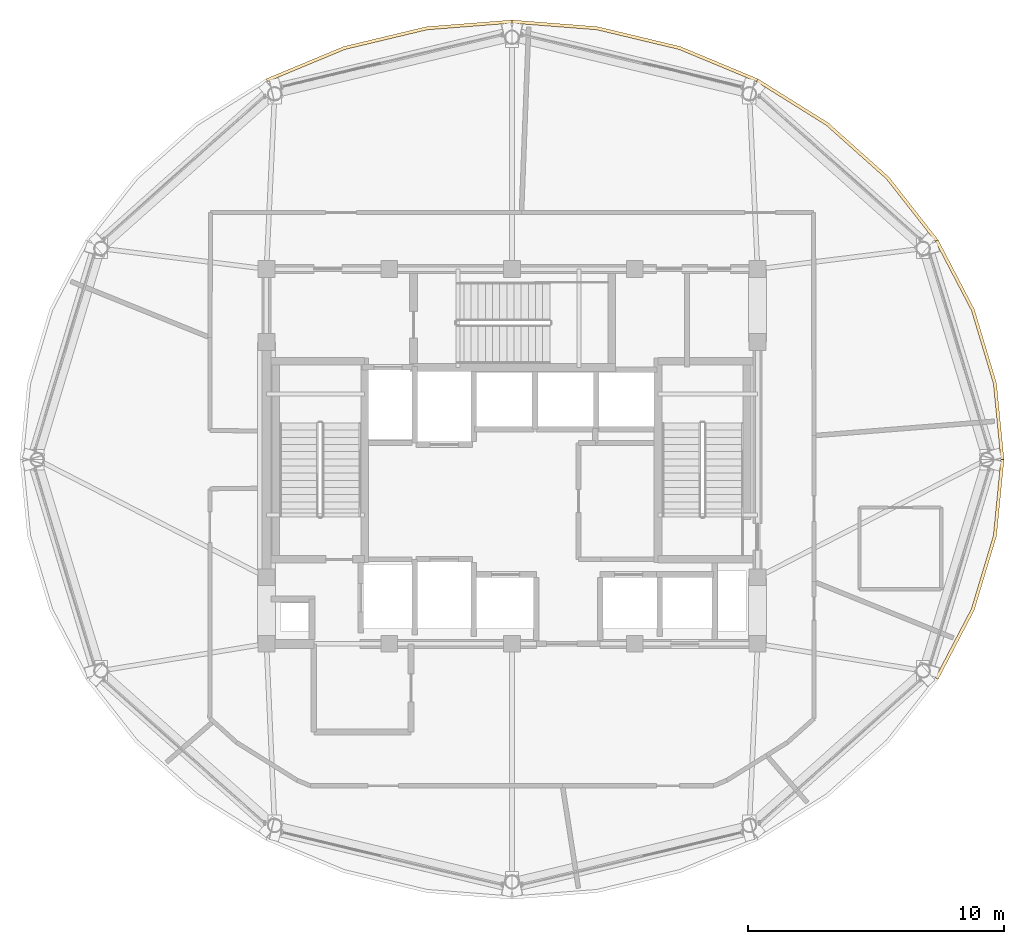
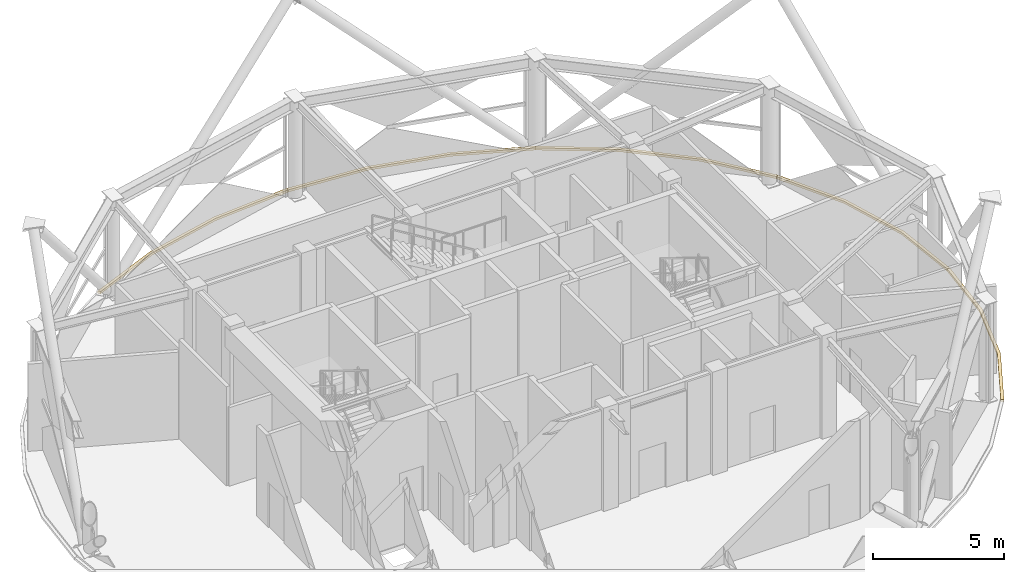
# One storey, part 27 of 27: 5 coverings.
"""IFC4 building model written with IfcOpenShell, lengths in metres."""

from ifc_helpers import new_model, si_unit, direction, frame, origin, place, context, subcontext, project, spatial, polyline, outline, extrude, material, layer, layer_set, type_object, element, save


model = new_model("IFC4")

# Units and contexts
model_context = context("Model", 3, precision=1e-05, world=origin(), true_north=direction((0.0, 1.0)))
body_context = subcontext(model_context, "Body", "Model", "MODEL_VIEW")
ifc_project = project(units=[si_unit("LENGTHUNIT", "METRE"), si_unit("AREAUNIT", "SQUARE_METRE"), si_unit("VOLUMEUNIT", "CUBIC_METRE"), si_unit("PLANEANGLEUNIT", "RADIAN"), si_unit("MASSUNIT", "GRAM", prefix="KILO")], contexts=[model_context])

# Site, building, storey
site_placement = place(None, origin())
site = spatial("IfcSite", under=ifc_project, at=site_placement, CompositionType="ELEMENT")
building_placement = place(site_placement, origin())
building = spatial("IfcBuilding", under=site, at=building_placement, Name="Vantalir Tower", CompositionType="ELEMENT")
storey_placement = place(building_placement, frame((0.0, 0.0, 290.10009765625)))
storey = spatial("IfcBuildingStorey", under=building, at=storey_placement, Name="L73", CompositionType="ELEMENT", Elevation=290.10009765625)

# Coverings
ifc_material = material(Name="Anodised champagne aluminium sill fascia", Category="aluminium")
ifc_layer = layer(ifc_material, 0.125)
ifc_layer_set = layer_set([ifc_layer], Name="Anodised champagne aluminium sill fascia")
covering_type = type_object("IfcCoveringType", Name="COV-SLAB-FASCIA-125", PredefinedType="CLADDING", material=ifc_layer_set)
covering_1_placement = place(storey_placement, frame((0.0, 0.0, -0.18017578125)))
element("IfcCovering", 1, at=covering_1_placement, inside=storey, type_object=covering_type, Name="L73 Perimeter Slab-Edge Sill Fascia 01", PredefinedType="CLADDING", context=body_context, shape_type="SweptSolid", body=[
    extrude(outline(polyline([(50.735107421875, 25.0), (50.443115234375, 27.98388671875), (49.574951171875, 30.8779296875), (48.157958984375, 33.593017578125), (48.050048828125, 33.531005859375), (49.4580078125, 30.8359375), (50.320068359375, 27.962890625), (50.610107421875, 25.0), (50.735107421875, 25.0)])), origin(), (0.0, 0.0, 1.0), 0.10498046875),
])
covering_2_placement = place(storey_placement, frame((0.0, 0.0, -0.18017578125)))
element("IfcCovering", 2, at=covering_2_placement, inside=storey, type_object=covering_type, Name="L73 Perimeter Slab-Edge Sill Fascia 02", PredefinedType="CLADDING", context=body_context, shape_type="SweptSolid", body=[
    extrude(outline(polyline([(48.157958984375, 33.593017578125), (46.235107421875, 36.048095703125), (43.864013671875, 38.166015625), (41.117919921875, 39.884033203125), (41.054931640625, 39.77587890625), (43.783935546875, 38.070068359375), (46.138916015625, 35.967041015625), (48.050048828125, 33.531005859375), (48.157958984375, 33.593017578125)])), origin(), (0.0, 0.0, 1.0), 0.10498046875),
])
covering_3_placement = place(storey_placement, frame((0.0, 0.0, -0.18017578125)))
element("IfcCovering", 3, at=covering_3_placement, inside=storey, type_object=covering_type, Name="L73 Perimeter Slab-Edge Sill Fascia 03", PredefinedType="CLADDING", context=body_context, shape_type="SweptSolid", body=[
    extrude(outline(polyline([(41.117919921875, 39.884033203125), (38.0791015625, 41.14990234375), (34.840087890625, 41.926025390625), (31.5, 42.18701171875), (31.5, 42.06201171875), (34.818115234375, 41.802978515625), (38.035888671875, 41.032958984375), (41.054931640625, 39.77587890625), (41.117919921875, 39.884033203125)])), origin(), (0.0, 0.0, 1.0), 0.10498046875),
])
covering_4_placement = place(storey_placement, frame((0.0, 0.0, -0.18017578125)))
element("IfcCovering", 4, at=covering_4_placement, inside=storey, type_object=covering_type, Name="L73 Perimeter Slab-Edge Sill Fascia 04", PredefinedType="CLADDING", context=body_context, shape_type="SweptSolid", body=[
    extrude(outline(polyline([(31.5, 42.18701171875), (28.159912109375, 41.926025390625), (24.9208984375, 41.14990234375), (21.883056640625, 39.884033203125), (21.945068359375, 39.77587890625), (24.964111328125, 41.032958984375), (28.181884765625, 41.802978515625), (31.5, 42.06201171875), (31.5, 42.18701171875)])), origin(), (0.0, 0.0, 1.0), 0.10498046875),
])
covering_5_placement = place(storey_placement, frame((0.0, 0.0, -0.18017578125)))
element("IfcCovering", 5, at=covering_5_placement, inside=storey, type_object=covering_type, Name="L73 Perimeter Slab-Edge Sill Fascia 12", PredefinedType="CLADDING", context=body_context, shape_type="SweptSolid", body=[
    extrude(outline(polyline([(48.157958984375, 16.406005859375), (49.574951171875, 19.1220703125), (50.443115234375, 22.01611328125), (50.735107421875, 25.0), (50.610107421875, 25.0), (50.320068359375, 22.037109375), (49.4580078125, 19.1640625), (48.050048828125, 16.468994140625), (48.157958984375, 16.406005859375)])), origin(), (0.0, 0.0, 1.0), 0.10498046875),
])

save(model, "model.ifc")
